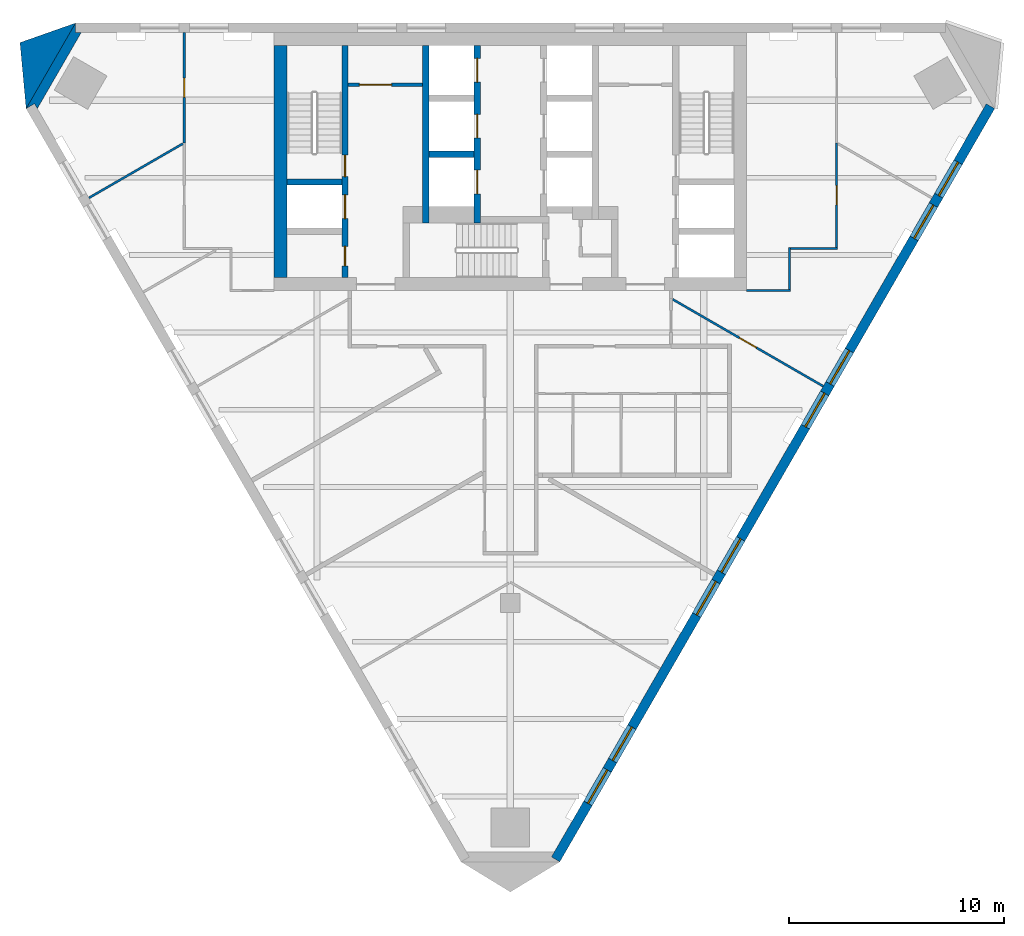
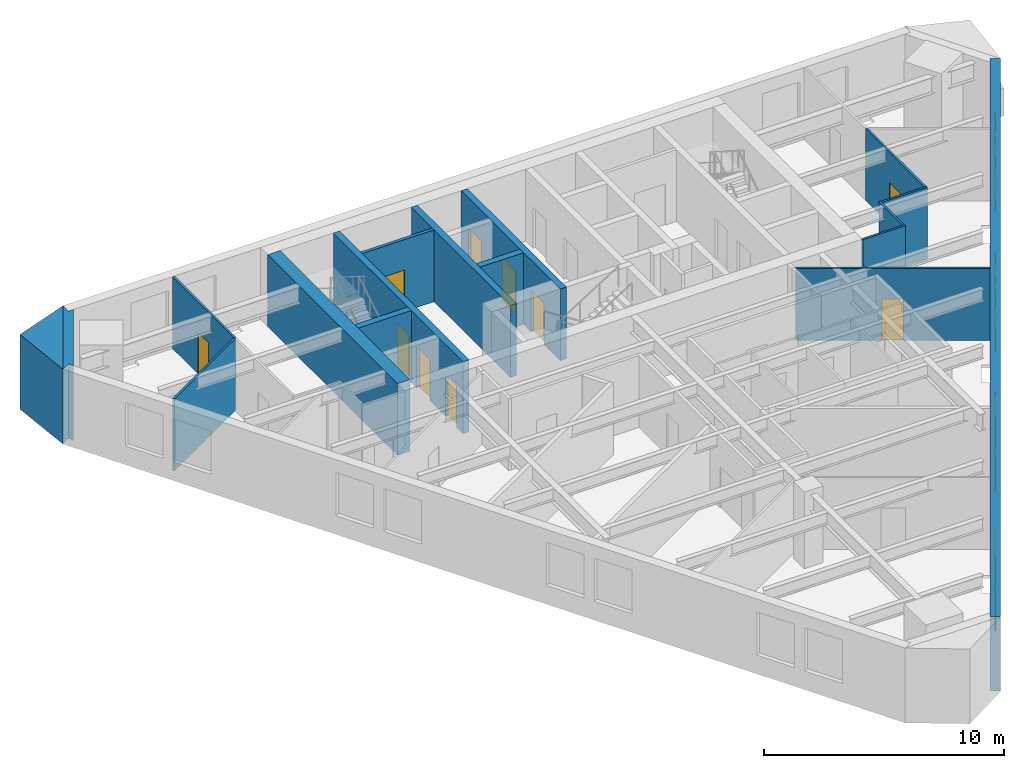
# One storey, part 4 of 7: 17 walls, 10 doors, 8 windows, 18 openings.
"""IFC4 building model written with IfcOpenShell, lengths in metres."""

from ifc_helpers import new_model, si_unit, direction, frame, frame_2d, origin, place, context, subcontext, project, spatial, polyline, rectangle, outline, extrude, material, layer, layer_set, type_object, element, fill, save


model = new_model("IFC4")

# Units and contexts
model_context = context("Model", 3, precision=1e-05, world=origin(), true_north=direction((0.0, 1.0)))
body_context = subcontext(model_context, "Body", "Model", "MODEL_VIEW")
ifc_project = project(units=[si_unit("LENGTHUNIT", "METRE"), si_unit("AREAUNIT", "SQUARE_METRE"), si_unit("VOLUMEUNIT", "CUBIC_METRE"), si_unit("PLANEANGLEUNIT", "RADIAN"), si_unit("MASSUNIT", "GRAM", prefix="KILO")], contexts=[model_context])

# Site, building, storey
site_placement = place(None, origin())
site = spatial("IfcSite", under=ifc_project, at=site_placement, CompositionType="ELEMENT")
building_placement = place(site_placement, origin())
building = spatial("IfcBuilding", under=site, at=building_placement, Name="Aloe Facet Convention Tower", CompositionType="ELEMENT")
storey_placement = place(building_placement, frame((0.0, 0.0, 171.5)))
storey = spatial("IfcBuildingStorey", under=building, at=storey_placement, Name="L43", CompositionType="ELEMENT", Elevation=171.5)

# Wall, opening, door
ifc_material_1 = material(Name="Concrete blockwork partition", Category="masonry")
ifc_layer_1 = layer(ifc_material_1, 0.14990234375)
ifc_layer_set_1 = layer_set([ifc_layer_1], Name="CR-W-PART150")
wall_type_1 = type_object("IfcWallType", Name="CR-W-PART150", PredefinedType="PARTITIONING", material=ifc_layer_set_1)
wall_1_placement = place(storey_placement, frame((72.449951171875, 132.125, 0.0), z_axis=(0.0, 0.0, 1.0), x_axis=(1.0, 0.0, 0.0)))
wall_1 = element("IfcWall", 1, at=wall_1_placement, inside=storey, type_object=wall_type_1, Name="Core partition L43-007", PredefinedType="PARTITIONING", context=body_context, shape_type="SweptSolid", body=[
    extrude(rectangle(XDim=3.449951171875, YDim=0.14990234375, at=frame_2d((1.72509765625, 0.0))), origin(), (0.0, 0.0, 1.0), 3.64990234375),
])
opening_1_placement = place(wall_1_placement, frame((0.52490234375, 0.0, 0.0)))
opening_1 = element("IfcOpeningElement", 2, at=opening_1_placement, cuts=wall_1, Name="Opening L43-CD14", PredefinedType="OPENING", context=body_context, shape_type="SweptSolid", body=[
    extrude(rectangle(XDim=1.5, YDim=2.10009765625, at=frame_2d((0.75, 1.050048828125))), frame((0.0, 0.0849609375, 0.0), z_axis=(0.0, -1.0, 0.0), x_axis=(1.0, 0.0, 0.0)), (0.0, 0.0, 1.0), 0.169921875),
])
ifc_material_2 = material(Name="Steel fire-resisting door set FD60", Category="steel")
door_type_1 = type_object("IfcDoorType", Name="CR-D-REFUGE-1500-FD60-DD", OperationType="DOUBLE_DOOR_DOUBLE_SWING", PredefinedType="DOOR", material=ifc_material_2)
door_1_placement = place(opening_1_placement, origin())
door_1 = element("IfcDoor", 3, at=door_1_placement, inside=storey, type_object=door_type_1, Name="Core door L43-CD14", OperationType="DOUBLE_DOOR_DOUBLE_SWING", OverallHeight=2.10009765625, OverallWidth=1.5, PredefinedType="DOOR", context=body_context, shape_type="SweptSolid", body=[
    extrude(rectangle(XDim=1.5, YDim=2.10009765625, at=frame_2d((0.75, 1.050048828125))), frame((0.0, 0.02490234375, 0.0), z_axis=(0.0, -1.0, 0.0), x_axis=(1.0, 0.0, 0.0)), (0.0, 0.0, 1.0), 0.050048828125),
])
fill(opening_1, door_1)

# Wall
ifc_material_3 = material(Name="Concrete C60/75", Category="concrete")
ifc_layer_2 = layer(ifc_material_3, 0.300048828125)
ifc_layer_set_2 = layer_set([ifc_layer_2], Name="CR-W-RC300-C6075")
wall_type_2 = type_object("IfcWallType", Name="CR-W-RC300-C6075", PredefinedType="SOLIDWALL", material=ifc_layer_set_2)
wall_2_placement = place(storey_placement, frame((69.60009765625, 127.60009765625, 0.0), z_axis=(0.0, 0.0, 1.0), x_axis=(1.0, 0.0, 0.0)))
element("IfcWall", 4, at=wall_2_placement, inside=storey, type_object=wall_type_2, Name="Core wall L43-004", PredefinedType="SOLIDWALL", context=body_context, shape_type="SweptSolid", body=[
    extrude(rectangle(XDim=2.5498046875, YDim=0.300048828125, at=frame_2d((1.27490234375, 0.0))), origin(), (0.0, 0.0, 1.0), 3.64990234375),
])

# Wall, openings, doors
wall_3_placement = place(storey_placement, frame((72.300048828125, 133.949951171875, 0.0), z_axis=(0.0, 0.0, 1.0), x_axis=(0.0, -1.0, 0.0)))
wall_3 = element("IfcWall", 5, at=wall_3_placement, inside=storey, type_object=wall_type_2, Name="Core wall L43-006", PredefinedType="SOLIDWALL", context=body_context, shape_type="SweptSolid", body=[
    extrude(rectangle(XDim=10.800048828125, YDim=0.300048828125, at=frame_2d((5.39990234375, 0.0))), origin(), (0.0, 0.0, 1.0), 3.64990234375),
])
opening_2_placement = place(wall_3_placement, frame((6.949951171875, 0.0, 0.0)))
opening_2 = element("IfcOpeningElement", 6, at=opening_2_placement, cuts=wall_3, Name="Opening LD-FF1-L43", PredefinedType="OPENING", context=body_context, shape_type="SweptSolid", body=[
    extrude(rectangle(XDim=1.10009765625, YDim=2.10009765625, at=frame_2d((0.550048828125, 1.050048828125))), frame((0.0, 0.16015625, 0.0), z_axis=(0.0, -1.0, 0.0), x_axis=(1.0, 0.0, 0.0)), (0.0, 0.0, 1.0), 0.320068359375),
])
opening_3_placement = place(wall_3_placement, frame((9.35009765625, 0.0, 0.0)))
opening_3 = element("IfcOpeningElement", 7, at=opening_3_placement, cuts=wall_3, Name="Opening L43-CD15", PredefinedType="OPENING", context=body_context, shape_type="SweptSolid", body=[
    extrude(rectangle(XDim=0.89990234375, YDim=2.10009765625, at=frame_2d((0.449951171875, 1.050048828125))), frame((0.0, 0.16015625, 0.0), z_axis=(0.0, -1.0, 0.0), x_axis=(1.0, 0.0, 0.0)), (0.0, 0.0, 1.0), 0.320068359375),
])
opening_4_placement = place(wall_3_placement, frame((5.10009765625, 0.0, 0.0)))
opening_4 = element("IfcOpeningElement", 8, at=opening_4_placement, cuts=wall_3, Name="Opening L43-CD16", PredefinedType="OPENING", context=body_context, shape_type="SweptSolid", body=[
    extrude(rectangle(XDim=1.0, YDim=2.10009765625, at=frame_2d((0.5, 1.050048828125))), frame((0.0, 0.16015625, 0.0), z_axis=(0.0, -1.0, 0.0), x_axis=(1.0, 0.0, 0.0)), (0.0, 0.0, 1.0), 0.320068359375),
])
ifc_material_4 = material(Name="Steel fire-resisting door set FD60", Category="steel")
door_type_2 = type_object("IfcDoorType", Name="CR-D-ROOM-900-FD60-SLEFT", OperationType="SINGLE_SWING_LEFT", PredefinedType="DOOR", material=ifc_material_4)
door_2_placement = place(opening_3_placement, origin())
door_2 = element("IfcDoor", 9, at=door_2_placement, inside=storey, type_object=door_type_2, Name="Core door L43-CD15", OperationType="SINGLE_SWING_LEFT", OverallHeight=2.10009765625, OverallWidth=0.89990234375, PredefinedType="DOOR", context=body_context, shape_type="SweptSolid", body=[
    extrude(rectangle(XDim=0.89990234375, YDim=2.10009765625, at=frame_2d((0.449951171875, 1.050048828125))), frame((0.0, 0.02490234375, 0.0), z_axis=(0.0, -1.0, 0.0), x_axis=(1.0, 0.0, 0.0)), (0.0, 0.0, 1.0), 0.050048828125),
])
fill(opening_3, door_2)
ifc_material_5 = material(Name="Steel fire-resisting door set FD120", Category="steel")
door_type_3 = type_object("IfcDoorType", Name="CR-D-STAIR-1000-FD120-SRIGHT", OperationType="SINGLE_SWING_RIGHT", PredefinedType="DOOR", material=ifc_material_5)
door_3_placement = place(opening_4_placement, origin())
door_3 = element("IfcDoor", 10, at=door_3_placement, inside=storey, type_object=door_type_3, Name="Core door L43-CD16", OperationType="SINGLE_SWING_RIGHT", OverallHeight=2.10009765625, OverallWidth=1.0, PredefinedType="DOOR", context=body_context, shape_type="SweptSolid", body=[
    extrude(rectangle(XDim=1.0, YDim=2.10009765625, at=frame_2d((0.5, 1.050048828125))), frame((0.0, 0.02490234375, 0.0), z_axis=(0.0, -1.0, 0.0), x_axis=(1.0, 0.0, 0.0)), (0.0, 0.0, 1.0), 0.050048828125),
])
fill(opening_4, door_3)
ifc_material_6 = material(Name="Stainless steel sliding landing door", Category="steel")
door_type_4 = type_object("IfcDoorType", Name="CR-LD-1100-FD120-_LEFT", OperationType="SLIDING_TO_LEFT", PredefinedType="DOOR", material=ifc_material_6)
door_4_placement = place(opening_2_placement, origin())
door_4 = element("IfcDoor", 11, at=door_4_placement, inside=storey, type_object=door_type_4, Name="Landing door FF1 L43", OperationType="SLIDING_TO_LEFT", OverallHeight=2.10009765625, OverallWidth=1.10009765625, PredefinedType="DOOR", context=body_context, shape_type="SweptSolid", body=[
    extrude(rectangle(XDim=1.10009765625, YDim=2.10009765625, at=frame_2d((0.550048828125, 1.050048828125))), frame((0.0, 0.02490234375, 0.0), z_axis=(0.0, -1.0, 0.0), x_axis=(1.0, 0.0, 0.0)), (0.0, 0.0, 1.0), 0.050048828125),
])
fill(opening_2, door_4)

# Walls
wall_4_placement = place(storey_placement, frame((76.050048828125, 133.949951171875, 0.0), z_axis=(0.0, 0.0, 1.0), x_axis=(0.0, -1.0, 0.0)))
element("IfcWall", 12, at=wall_4_placement, inside=storey, type_object=wall_type_2, Name="Core wall L43-010", PredefinedType="SOLIDWALL", context=body_context, shape_type="SweptSolid", body=[
    extrude(rectangle(XDim=8.25, YDim=0.300048828125, at=frame_2d((4.125, 0.0))), origin(), (0.0, 0.0, 1.0), 3.64990234375),
])
wall_5_placement = place(storey_placement, frame((76.199951171875, 128.89990234375, 0.0), z_axis=(0.0, 0.0, 1.0), x_axis=(1.0, 0.0, 0.0)))
element("IfcWall", 13, at=wall_5_placement, inside=storey, type_object=wall_type_2, Name="Core wall L43-012", PredefinedType="SOLIDWALL", context=body_context, shape_type="SweptSolid", body=[
    extrude(rectangle(XDim=2.10009765625, YDim=0.300048828125, at=frame_2d((1.050048828125, 0.0))), origin(), (0.0, 0.0, 1.0), 3.64990234375),
])

# Wall, openings, doors
wall_6_placement = place(storey_placement, frame((78.449951171875, 133.949951171875, 0.0), z_axis=(0.0, 0.0, 1.0), x_axis=(0.0, -1.0, 0.0)))
wall_6 = element("IfcWall", 14, at=wall_6_placement, inside=storey, type_object=wall_type_2, Name="Core wall L43-014", PredefinedType="SOLIDWALL", context=body_context, shape_type="SweptSolid", body=[
    extrude(rectangle(XDim=8.25, YDim=0.300048828125, at=frame_2d((4.125, 0.0))), origin(), (0.0, 0.0, 1.0), 3.64990234375),
])
opening_5_placement = place(wall_6_placement, frame((0.60009765625, 0.0, 0.0)))
opening_5 = element("IfcOpeningElement", 15, at=opening_5_placement, cuts=wall_6, Name="Opening LD-B1-L43", PredefinedType="OPENING", context=body_context, shape_type="SweptSolid", body=[
    extrude(rectangle(XDim=1.10009765625, YDim=2.10009765625, at=frame_2d((0.550048828125, 1.050048828125))), frame((0.0, 0.16015625, 0.0), z_axis=(0.0, -1.0, 0.0), x_axis=(1.0, 0.0, 0.0)), (0.0, 0.0, 1.0), 0.320068359375),
])
opening_6_placement = place(wall_6_placement, frame((3.199951171875, 0.0, 0.0)))
opening_6 = element("IfcOpeningElement", 16, at=opening_6_placement, cuts=wall_6, Name="Opening LD-B2-L43", PredefinedType="OPENING", context=body_context, shape_type="SweptSolid", body=[
    extrude(rectangle(XDim=1.10009765625, YDim=2.10009765625, at=frame_2d((0.550048828125, 1.050048828125))), frame((0.0, 0.16015625, 0.0), z_axis=(0.0, -1.0, 0.0), x_axis=(1.0, 0.0, 0.0)), (0.0, 0.0, 1.0), 0.320068359375),
])
opening_7_placement = place(wall_6_placement, frame((5.800048828125, 0.0, 0.0)))
opening_7 = element("IfcOpeningElement", 17, at=opening_7_placement, cuts=wall_6, Name="Opening LD-B3-L43", PredefinedType="OPENING", context=body_context, shape_type="SweptSolid", body=[
    extrude(rectangle(XDim=1.10009765625, YDim=2.10009765625, at=frame_2d((0.550048828125, 1.050048828125))), frame((0.0, 0.16015625, 0.0), z_axis=(0.0, -1.0, 0.0), x_axis=(1.0, 0.0, 0.0)), (0.0, 0.0, 1.0), 0.320068359375),
])
ifc_material_7 = material(Name="Stainless steel sliding landing door", Category="steel")
door_type_5 = type_object("IfcDoorType", Name="CR-LD-1100-FD60-RIGHT", OperationType="SLIDING_TO_RIGHT", PredefinedType="DOOR", material=ifc_material_7)
door_5_placement = place(opening_5_placement, origin())
door_5 = element("IfcDoor", 18, at=door_5_placement, inside=storey, type_object=door_type_5, Name="Landing door B1 L43", OperationType="SLIDING_TO_RIGHT", OverallHeight=2.10009765625, OverallWidth=1.10009765625, PredefinedType="DOOR", context=body_context, shape_type="SweptSolid", body=[
    extrude(rectangle(XDim=1.10009765625, YDim=2.10009765625, at=frame_2d((0.550048828125, 1.050048828125))), frame((0.0, 0.02490234375, 0.0), z_axis=(0.0, -1.0, 0.0), x_axis=(1.0, 0.0, 0.0)), (0.0, 0.0, 1.0), 0.050048828125),
])
fill(opening_5, door_5)
door_6_placement = place(opening_6_placement, origin())
door_6 = element("IfcDoor", 19, at=door_6_placement, inside=storey, type_object=door_type_5, Name="Landing door B2 L43", OperationType="SLIDING_TO_RIGHT", OverallHeight=2.10009765625, OverallWidth=1.10009765625, PredefinedType="DOOR", context=body_context, shape_type="SweptSolid", body=[
    extrude(rectangle(XDim=1.10009765625, YDim=2.10009765625, at=frame_2d((0.550048828125, 1.050048828125))), frame((0.0, 0.02490234375, 0.0), z_axis=(0.0, -1.0, 0.0), x_axis=(1.0, 0.0, 0.0)), (0.0, 0.0, 1.0), 0.050048828125),
])
fill(opening_6, door_6)
door_7_placement = place(opening_7_placement, origin())
door_7 = element("IfcDoor", 20, at=door_7_placement, inside=storey, type_object=door_type_5, Name="Landing door B3 L43", OperationType="SLIDING_TO_RIGHT", OverallHeight=2.10009765625, OverallWidth=1.10009765625, PredefinedType="DOOR", context=body_context, shape_type="SweptSolid", body=[
    extrude(rectangle(XDim=1.10009765625, YDim=2.10009765625, at=frame_2d((0.550048828125, 1.050048828125))), frame((0.0, 0.02490234375, 0.0), z_axis=(0.0, -1.0, 0.0), x_axis=(1.0, 0.0, 0.0)), (0.0, 0.0, 1.0), 0.050048828125),
])
fill(opening_7, door_7)

# Walls
ifc_material_8 = material(Name="Concrete C60/75", Category="concrete")
ifc_layer_3 = layer(ifc_material_8, 0.60009765625)
ifc_layer_set_3 = layer_set([ifc_layer_3], Name="CR-W-RC600-C6075")
wall_type_3 = type_object("IfcWallType", Name="CR-W-RC600-C6075", PredefinedType="SOLIDWALL", material=ifc_layer_set_3)
wall_7_placement = place(storey_placement, frame((69.300048828125, 133.949951171875, 0.0), z_axis=(0.0, 0.0, 1.0), x_axis=(0.0, -1.0, 0.0)))
element("IfcWall", 21, at=wall_7_placement, inside=storey, type_object=wall_type_3, Name="Core wall L43-002", PredefinedType="SOLIDWALL", context=body_context, shape_type="SweptSolid", body=[
    extrude(rectangle(XDim=10.800048828125, YDim=0.60009765625, at=frame_2d((5.39990234375, 0.0))), origin(), (0.0, 0.0, 1.0), 3.64990234375),
])
ifc_material_9 = material(Name="Precast concrete C40/50", Category="concrete")
ifc_layer_4 = layer(ifc_material_9, 0.449951171875)
ifc_layer_set_4 = layer_set([ifc_layer_4], Name="EV-WALL-PIER")
wall_type_4 = type_object("IfcWallType", Name="EV-WALL-PIER", PredefinedType="SOLIDWALL", material=ifc_layer_set_4)
wall_8_placement = place(storey_placement, frame((0.0, 0.0, -0.14990234375)))
element("IfcWall", 22, at=wall_8_placement, inside=storey, type_object=wall_type_4, Name="EP-L43-A", PredefinedType="SOLIDWALL", context=body_context, shape_type="SweptSolid", body=[
    extrude(outline(polyline([(59.7568359375, 135.0), (59.7568359375, 134.550048828125), (60.016845703125, 134.550048828125), (57.9765625, 131.016357421875), (57.8466796875, 131.2412109375), (57.45703125, 131.016357421875), (59.7568359375, 135.0)])), origin(), (0.0, 0.0, 1.0), 3.7998046875),
])
ifc_material_10 = material(Name="Precast concrete C40/50", Category="concrete")
ifc_layer_5 = layer(ifc_material_10, 3.947998046875)
ifc_layer_set_5 = layer_set([ifc_layer_5], Name="EV-WALL-SPINE")
wall_type_5 = type_object("IfcWallType", Name="EV-WALL-SPINE", PredefinedType="SOLIDWALL", material=ifc_layer_set_5)
wall_9_placement = place(storey_placement, frame((0.0, 0.0, -0.14990234375)))
element("IfcWall", 23, at=wall_9_placement, inside=storey, type_object=wall_type_5, Name="SP-NW-L43", PredefinedType="SOLIDWALL", context=body_context, shape_type="SweptSolid", body=[
    extrude(outline(polyline([(59.7568359375, 135.0), (57.171630859375, 134.08984375), (57.45703125, 131.016357421875), (59.7568359375, 135.0)])), origin(), (0.0, 0.0, 1.0), 3.7998046875),
])

# Wall, openings, windows
ifc_material_11 = material(Name="Precast concrete C40/50", Category="concrete")
ifc_layer_6 = layer(ifc_material_11, 0.449951171875)
ifc_layer_set_6 = layer_set([ifc_layer_6], Name="EV-WALL-STONE")
wall_type_6 = type_object("IfcWallType", Name="EV-WALL-STONE", PredefinedType="SOLIDWALL", material=ifc_layer_set_6)
wall_10_placement = place(storey_placement, frame((82.105224609375, 96.066650390625, -0.14990234375), z_axis=(0.0, 0.0, 1.0), x_axis=(0.499997369791, 0.866026922331, 0.0)))
wall_10 = element("IfcWall", 24, at=wall_10_placement, inside=storey, type_object=wall_type_6, Name="EW-L43-E01", PredefinedType="SOLIDWALL", context=body_context, shape_type="SweptSolid", body=[
    extrude(outline(polyline([(40.486083984375, 0.0), (40.486083984375, 3.7998046875), (0.0, 3.7998046875), (0.0, 0.0), (40.486083984375, 0.0)])), frame((0.0, 0.22509765625, 0.0), z_axis=(0.0, -1.0, 0.0), x_axis=(1.0, 0.0, 0.0)), (0.0, 0.0, 1.0), 0.449951171875),
])
opening_8_placement = place(wall_10_placement, frame((3.0107421875, 0.0, 0.949951171875)))
opening_8 = element("IfcOpeningElement", 25, at=opening_8_placement, cuts=wall_10, Name="Opening W-L43-E01", PredefinedType="OPENING", context=body_context, shape_type="SweptSolid", body=[
    extrude(rectangle(XDim=1.800048828125, YDim=2.199951171875, at=frame_2d((0.89990234375, 1.10009765625))), frame((0.0, 0.23486328125, 0.0), z_axis=(0.0, -1.0, 0.0), x_axis=(1.0, 0.0, 0.0)), (0.0, 0.0, 1.0), 0.469970703125),
])
opening_9_placement = place(wall_10_placement, frame((5.310791015625, 0.0, 0.949951171875)))
opening_9 = element("IfcOpeningElement", 26, at=opening_9_placement, cuts=wall_10, Name="Opening W-L43-E02", PredefinedType="OPENING", context=body_context, shape_type="SweptSolid", body=[
    extrude(rectangle(XDim=1.800048828125, YDim=2.199951171875, at=frame_2d((0.89990234375, 1.10009765625))), frame((0.0, 0.23486328125, 0.0), z_axis=(0.0, -1.0, 0.0), x_axis=(1.0, 0.0, 0.0)), (0.0, 0.0, 1.0), 0.469970703125),
])
opening_10_placement = place(wall_10_placement, frame((13.13232421875, 0.0, 0.949951171875)))
opening_10 = element("IfcOpeningElement", 27, at=opening_10_placement, cuts=wall_10, Name="Opening W-L43-E03", PredefinedType="OPENING", context=body_context, shape_type="SweptSolid", body=[
    extrude(rectangle(XDim=1.800048828125, YDim=2.199951171875, at=frame_2d((0.89990234375, 1.10009765625))), frame((0.0, 0.23486328125, 0.0), z_axis=(0.0, -1.0, 0.0), x_axis=(1.0, 0.0, 0.0)), (0.0, 0.0, 1.0), 0.469970703125),
])
opening_11_placement = place(wall_10_placement, frame((15.432373046875, 0.0, 0.949951171875)))
opening_11 = element("IfcOpeningElement", 28, at=opening_11_placement, cuts=wall_10, Name="Opening W-L43-E04", PredefinedType="OPENING", context=body_context, shape_type="SweptSolid", body=[
    extrude(rectangle(XDim=1.800048828125, YDim=2.199951171875, at=frame_2d((0.89990234375, 1.10009765625))), frame((0.0, 0.23486328125, 0.0), z_axis=(0.0, -1.0, 0.0), x_axis=(1.0, 0.0, 0.0)), (0.0, 0.0, 1.0), 0.469970703125),
])
opening_12_placement = place(wall_10_placement, frame((23.25390625, 0.0, 0.949951171875)))
opening_12 = element("IfcOpeningElement", 29, at=opening_12_placement, cuts=wall_10, Name="Opening W-L43-E05", PredefinedType="OPENING", context=body_context, shape_type="SweptSolid", body=[
    extrude(rectangle(XDim=1.800048828125, YDim=2.199951171875, at=frame_2d((0.89990234375, 1.10009765625))), frame((0.0, 0.23486328125, 0.0), z_axis=(0.0, -1.0, 0.0), x_axis=(1.0, 0.0, 0.0)), (0.0, 0.0, 1.0), 0.469970703125),
])
opening_13_placement = place(wall_10_placement, frame((25.553955078125, 0.0, 0.949951171875)))
opening_13 = element("IfcOpeningElement", 30, at=opening_13_placement, cuts=wall_10, Name="Opening W-L43-E06", PredefinedType="OPENING", context=body_context, shape_type="SweptSolid", body=[
    extrude(rectangle(XDim=1.800048828125, YDim=2.199951171875, at=frame_2d((0.89990234375, 1.10009765625))), frame((0.0, 0.23486328125, 0.0), z_axis=(0.0, -1.0, 0.0), x_axis=(1.0, 0.0, 0.0)), (0.0, 0.0, 1.0), 0.469970703125),
])
opening_14_placement = place(wall_10_placement, frame((33.37548828125, 0.0, 0.949951171875)))
opening_14 = element("IfcOpeningElement", 31, at=opening_14_placement, cuts=wall_10, Name="Opening W-L43-E07", PredefinedType="OPENING", context=body_context, shape_type="SweptSolid", body=[
    extrude(rectangle(XDim=1.800048828125, YDim=2.199951171875, at=frame_2d((0.89990234375, 1.10009765625))), frame((0.0, 0.23486328125, 0.0), z_axis=(0.0, -1.0, 0.0), x_axis=(1.0, 0.0, 0.0)), (0.0, 0.0, 1.0), 0.469970703125),
])
opening_15_placement = place(wall_10_placement, frame((35.67529296875, 0.0, 0.949951171875)))
opening_15 = element("IfcOpeningElement", 32, at=opening_15_placement, cuts=wall_10, Name="Opening W-L43-E08", PredefinedType="OPENING", context=body_context, shape_type="SweptSolid", body=[
    extrude(rectangle(XDim=1.800048828125, YDim=2.199951171875, at=frame_2d((0.89990234375, 1.10009765625))), frame((0.0, 0.23486328125, 0.0), z_axis=(0.0, -1.0, 0.0), x_axis=(1.0, 0.0, 0.0)), (0.0, 0.0, 1.0), 0.469970703125),
])
ifc_material_12 = material(Name="Aluminium frame, clear double glazing", Category="aluminium")
window_type = type_object("IfcWindowType", Name="EV-WIN-O18", PartitioningType="SINGLE_PANEL", PredefinedType="WINDOW", material=ifc_material_12)
window_1_placement = place(opening_8_placement, origin())
window_1 = element("IfcWindow", 33, at=window_1_placement, inside=storey, type_object=window_type, Name="W-L43-E01", OverallHeight=2.199951171875, OverallWidth=1.800048828125, PartitioningType="SINGLE_PANEL", PredefinedType="WINDOW", context=body_context, shape_type="SweptSolid", body=[
    extrude(rectangle(XDim=1.800048828125, YDim=2.199951171875, at=frame_2d((0.89990234375, 1.10009765625))), frame((0.0, 0.030029296875, 0.0), z_axis=(0.0, -1.0, 0.0), x_axis=(1.0, 0.0, 0.0)), (0.0, 0.0, 1.0), 0.06005859375),
])
fill(opening_8, window_1)
window_2_placement = place(opening_9_placement, origin())
window_2 = element("IfcWindow", 34, at=window_2_placement, inside=storey, type_object=window_type, Name="W-L43-E02", OverallHeight=2.199951171875, OverallWidth=1.800048828125, PartitioningType="SINGLE_PANEL", PredefinedType="WINDOW", context=body_context, shape_type="SweptSolid", body=[
    extrude(rectangle(XDim=1.800048828125, YDim=2.199951171875, at=frame_2d((0.89990234375, 1.10009765625))), frame((0.0, 0.030029296875, 0.0), z_axis=(0.0, -1.0, 0.0), x_axis=(1.0, 0.0, 0.0)), (0.0, 0.0, 1.0), 0.06005859375),
])
fill(opening_9, window_2)
window_3_placement = place(opening_10_placement, origin())
window_3 = element("IfcWindow", 35, at=window_3_placement, inside=storey, type_object=window_type, Name="W-L43-E03", OverallHeight=2.199951171875, OverallWidth=1.800048828125, PartitioningType="SINGLE_PANEL", PredefinedType="WINDOW", context=body_context, shape_type="SweptSolid", body=[
    extrude(rectangle(XDim=1.800048828125, YDim=2.199951171875, at=frame_2d((0.89990234375, 1.10009765625))), frame((0.0, 0.030029296875, 0.0), z_axis=(0.0, -1.0, 0.0), x_axis=(1.0, 0.0, 0.0)), (0.0, 0.0, 1.0), 0.06005859375),
])
fill(opening_10, window_3)
window_4_placement = place(opening_11_placement, origin())
window_4 = element("IfcWindow", 36, at=window_4_placement, inside=storey, type_object=window_type, Name="W-L43-E04", OverallHeight=2.199951171875, OverallWidth=1.800048828125, PartitioningType="SINGLE_PANEL", PredefinedType="WINDOW", context=body_context, shape_type="SweptSolid", body=[
    extrude(rectangle(XDim=1.800048828125, YDim=2.199951171875, at=frame_2d((0.89990234375, 1.10009765625))), frame((0.0, 0.030029296875, 0.0), z_axis=(0.0, -1.0, 0.0), x_axis=(1.0, 0.0, 0.0)), (0.0, 0.0, 1.0), 0.06005859375),
])
fill(opening_11, window_4)
window_5_placement = place(opening_12_placement, origin())
window_5 = element("IfcWindow", 37, at=window_5_placement, inside=storey, type_object=window_type, Name="W-L43-E05", OverallHeight=2.199951171875, OverallWidth=1.800048828125, PartitioningType="SINGLE_PANEL", PredefinedType="WINDOW", context=body_context, shape_type="SweptSolid", body=[
    extrude(rectangle(XDim=1.800048828125, YDim=2.199951171875, at=frame_2d((0.89990234375, 1.10009765625))), frame((0.0, 0.030029296875, 0.0), z_axis=(0.0, -1.0, 0.0), x_axis=(1.0, 0.0, 0.0)), (0.0, 0.0, 1.0), 0.06005859375),
])
fill(opening_12, window_5)
window_6_placement = place(opening_13_placement, origin())
window_6 = element("IfcWindow", 38, at=window_6_placement, inside=storey, type_object=window_type, Name="W-L43-E06", OverallHeight=2.199951171875, OverallWidth=1.800048828125, PartitioningType="SINGLE_PANEL", PredefinedType="WINDOW", context=body_context, shape_type="SweptSolid", body=[
    extrude(rectangle(XDim=1.800048828125, YDim=2.199951171875, at=frame_2d((0.89990234375, 1.10009765625))), frame((0.0, 0.030029296875, 0.0), z_axis=(0.0, -1.0, 0.0), x_axis=(1.0, 0.0, 0.0)), (0.0, 0.0, 1.0), 0.06005859375),
])
fill(opening_13, window_6)
window_7_placement = place(opening_14_placement, origin())
window_7 = element("IfcWindow", 39, at=window_7_placement, inside=storey, type_object=window_type, Name="W-L43-E07", OverallHeight=2.199951171875, OverallWidth=1.800048828125, PartitioningType="SINGLE_PANEL", PredefinedType="WINDOW", context=body_context, shape_type="SweptSolid", body=[
    extrude(rectangle(XDim=1.800048828125, YDim=2.199951171875, at=frame_2d((0.89990234375, 1.10009765625))), frame((0.0, 0.030029296875, 0.0), z_axis=(0.0, -1.0, 0.0), x_axis=(1.0, 0.0, 0.0)), (0.0, 0.0, 1.0), 0.06005859375),
])
fill(opening_14, window_7)
window_8_placement = place(opening_15_placement, origin())
window_8 = element("IfcWindow", 40, at=window_8_placement, inside=storey, type_object=window_type, Name="W-L43-E08", OverallHeight=2.199951171875, OverallWidth=1.800048828125, PartitioningType="SINGLE_PANEL", PredefinedType="WINDOW", context=body_context, shape_type="SweptSolid", body=[
    extrude(rectangle(XDim=1.800048828125, YDim=2.199951171875, at=frame_2d((0.89990234375, 1.10009765625))), frame((0.0, 0.030029296875, 0.0), z_axis=(0.0, -1.0, 0.0), x_axis=(1.0, 0.0, 0.0)), (0.0, 0.0, 1.0), 0.06005859375),
])
fill(opening_15, window_8)

# Wall, opening, door
ifc_material_13 = material(Name="Gypsum board partition on steel studs", Category="steel")
ifc_layer_7 = layer(ifc_material_13, 0.10009765625)
ifc_layer_set_7 = layer_set([ifc_layer_7], Name="IN-W-PART")
wall_type_7 = type_object("IfcWallType", Name="IN-W-PART", PredefinedType="PARTITIONING", material=ifc_layer_set_7)
wall_11_placement = place(storey_placement, frame((87.557373046875, 122.13720703125, 0.0), z_axis=(0.0, 0.0, 1.0), x_axis=(0.866029768103, -0.499992440702, 0.0)))
wall_11 = element("IfcWall", 41, at=wall_11_placement, inside=storey, type_object=wall_type_7, Name="Partition L43-W026", PredefinedType="PARTITIONING", context=body_context, shape_type="SweptSolid", body=[
    extrude(rectangle(XDim=8.088623046875, YDim=0.10009765625, at=frame_2d((4.04443359375, 0.0))), origin(), (0.0, 0.0, 1.0), 3.64990234375),
])
opening_16_placement = place(wall_11_placement, frame((3.59423828125, 0.0, 0.0)))
opening_16 = element("IfcOpeningElement", 42, at=opening_16_placement, cuts=wall_11, Name="Opening L43-013", PredefinedType="OPENING", context=body_context, shape_type="SweptSolid", body=[
    extrude(rectangle(XDim=0.89990234375, YDim=2.10009765625, at=frame_2d((0.449951171875, 1.050048828125))), frame((0.0, 0.06005859375, 0.0), z_axis=(0.0, -1.0, 0.0), x_axis=(1.0, 0.0, 0.0)), (0.0, 0.0, 1.0), 0.1201171875),
])
ifc_material_14 = material(Name="Timber door", Category="wood")
door_type_6 = type_object("IfcDoorType", Name="IN-OFF-D-ROOM", OperationType="SINGLE_SWING_LEFT", PredefinedType="DOOR", material=ifc_material_14)
door_8_placement = place(opening_16_placement, origin())
door_8 = element("IfcDoor", 43, at=door_8_placement, inside=storey, type_object=door_type_6, Name="Door L43-013", OperationType="SINGLE_SWING_LEFT", OverallHeight=2.10009765625, OverallWidth=0.89990234375, PredefinedType="DOOR", context=body_context, shape_type="SweptSolid", body=[
    extrude(rectangle(XDim=0.89990234375, YDim=2.10009765625, at=frame_2d((0.449951171875, 1.050048828125))), frame((0.0, 0.02490234375, 0.0), z_axis=(0.0, -1.0, 0.0), x_axis=(1.0, 0.0, 0.0)), (0.0, 0.0, 1.0), 0.050048828125),
])
fill(opening_16, door_8)

# Walls
wall_12_placement = place(storey_placement, frame((91.0, 122.550048828125, 0.0), z_axis=(0.0, 0.0, 1.0), x_axis=(1.0, 0.0, 0.0)))
element("IfcWall", 44, at=wall_12_placement, inside=storey, type_object=wall_type_7, Name="Partition L43-W039", PredefinedType="PARTITIONING", context=body_context, shape_type="SweptSolid", body=[
    extrude(rectangle(XDim=2.050048828125, YDim=0.10009765625, at=frame_2d((1.02490234375, 0.0))), origin(), (0.0, 0.0, 1.0), 3.64990234375),
])
wall_13_placement = place(storey_placement, frame((93.0, 122.60009765625, 0.0), z_axis=(0.0, 0.0, 1.0), x_axis=(0.0, 1.0, 0.0)))
element("IfcWall", 45, at=wall_13_placement, inside=storey, type_object=wall_type_7, Name="Partition L43-W040", PredefinedType="PARTITIONING", context=body_context, shape_type="SweptSolid", body=[
    extrude(rectangle(XDim=1.949951171875, YDim=0.10009765625, at=frame_2d((0.97509765625, 0.0))), origin(), (0.0, 0.0, 1.0), 3.64990234375),
])
wall_14_placement = place(storey_placement, frame((93.050048828125, 124.5, 0.0), z_axis=(0.0, 0.0, 1.0), x_axis=(1.0, 0.0, 0.0)))
element("IfcWall", 46, at=wall_14_placement, inside=storey, type_object=wall_type_7, Name="Partition L43-W044", PredefinedType="PARTITIONING", context=body_context, shape_type="SweptSolid", body=[
    extrude(rectangle(XDim=2.182373046875, YDim=0.10009765625, at=frame_2d((1.09130859375, 0.0))), origin(), (0.0, 0.0, 1.0), 3.64990234375),
])

# Wall, opening, door
wall_15_placement = place(storey_placement, frame((95.182373046875, 124.550048828125, 0.0), z_axis=(0.0, 0.0, 1.0), x_axis=(0.0, 1.0, 0.0)))
wall_15 = element("IfcWall", 47, at=wall_15_placement, inside=storey, type_object=wall_type_7, Name="Partition L43-W045", PredefinedType="PARTITIONING", context=body_context, shape_type="SweptSolid", body=[
    extrude(rectangle(XDim=4.872314453125, YDim=0.10009765625, at=frame_2d((2.43603515625, 0.0))), origin(), (0.0, 0.0, 1.0), 3.64990234375),
])
opening_17_placement = place(wall_15_placement, frame((1.986083984375, 0.0, 0.0)))
opening_17 = element("IfcOpeningElement", 48, at=opening_17_placement, cuts=wall_15, Name="Opening L43-006", PredefinedType="OPENING", context=body_context, shape_type="SweptSolid", body=[
    extrude(rectangle(XDim=0.89990234375, YDim=2.10009765625, at=frame_2d((0.449951171875, 1.050048828125))), frame((0.0, 0.06005859375, 0.0), z_axis=(0.0, -1.0, 0.0), x_axis=(1.0, 0.0, 0.0)), (0.0, 0.0, 1.0), 0.1201171875),
])
door_9_placement = place(opening_17_placement, origin())
door_9 = element("IfcDoor", 49, at=door_9_placement, inside=storey, type_object=door_type_6, Name="Door L43-006", OperationType="SINGLE_SWING_LEFT", OverallHeight=2.10009765625, OverallWidth=0.89990234375, PredefinedType="DOOR", context=body_context, shape_type="SweptSolid", body=[
    extrude(rectangle(XDim=0.89990234375, YDim=2.10009765625, at=frame_2d((0.449951171875, 1.050048828125))), frame((0.0, 0.02490234375, 0.0), z_axis=(0.0, -1.0, 0.0), x_axis=(1.0, 0.0, 0.0)), (0.0, 0.0, 1.0), 0.050048828125),
])
fill(opening_17, door_9)

# Wall
wall_16_placement = place(storey_placement, frame((60.376953125, 126.858642578125, 0.0), z_axis=(0.0, 0.0, 1.0), x_axis=(0.866030444867, 0.499991268487, 0.0)))
element("IfcWall", 50, at=wall_16_placement, inside=storey, type_object=wall_type_7, Name="Partition L43-W048", PredefinedType="PARTITIONING", context=body_context, shape_type="SweptSolid", body=[
    extrude(rectangle(XDim=5.0576171875, YDim=0.10009765625, at=frame_2d((2.52880859375, 0.0))), origin(), (0.0, 0.0, 1.0), 3.64990234375),
])

# Wall, opening, door
wall_17_placement = place(storey_placement, frame((64.817626953125, 129.42236328125, 0.0), z_axis=(0.0, 0.0, 1.0), x_axis=(0.0, 1.0, 0.0)))
wall_17 = element("IfcWall", 51, at=wall_17_placement, inside=storey, type_object=wall_type_7, Name="Partition L43-W050", PredefinedType="PARTITIONING", context=body_context, shape_type="SweptSolid", body=[
    extrude(rectangle(XDim=5.127685546875, YDim=0.10009765625, at=frame_2d((2.56396484375, 0.0))), origin(), (0.0, 0.0, 1.0), 3.64990234375),
])
opening_18_placement = place(wall_17_placement, frame((2.11376953125, 0.0, 0.0)))
opening_18 = element("IfcOpeningElement", 52, at=opening_18_placement, cuts=wall_17, Name="Opening L43-014", PredefinedType="OPENING", context=body_context, shape_type="SweptSolid", body=[
    extrude(rectangle(XDim=0.89990234375, YDim=2.10009765625, at=frame_2d((0.449951171875, 1.050048828125))), frame((0.0, 0.06005859375, 0.0), z_axis=(0.0, -1.0, 0.0), x_axis=(1.0, 0.0, 0.0)), (0.0, 0.0, 1.0), 0.1201171875),
])
door_10_placement = place(opening_18_placement, origin())
door_10 = element("IfcDoor", 53, at=door_10_placement, inside=storey, type_object=door_type_6, Name="Door L43-014", OperationType="SINGLE_SWING_LEFT", OverallHeight=2.10009765625, OverallWidth=0.89990234375, PredefinedType="DOOR", context=body_context, shape_type="SweptSolid", body=[
    extrude(rectangle(XDim=0.89990234375, YDim=2.10009765625, at=frame_2d((0.449951171875, 1.050048828125))), frame((0.0, 0.02490234375, 0.0), z_axis=(0.0, -1.0, 0.0), x_axis=(1.0, 0.0, 0.0)), (0.0, 0.0, 1.0), 0.050048828125),
])
fill(opening_18, door_10)

save(model, "model.ifc")
